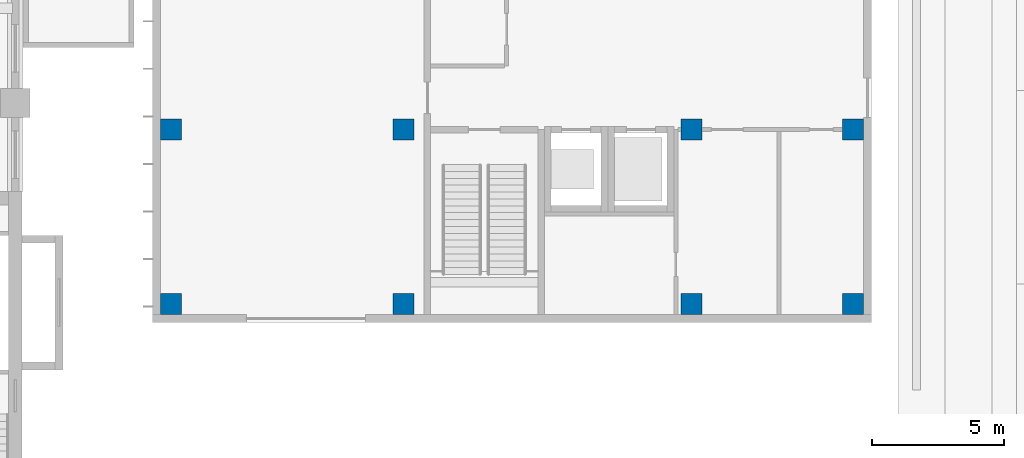
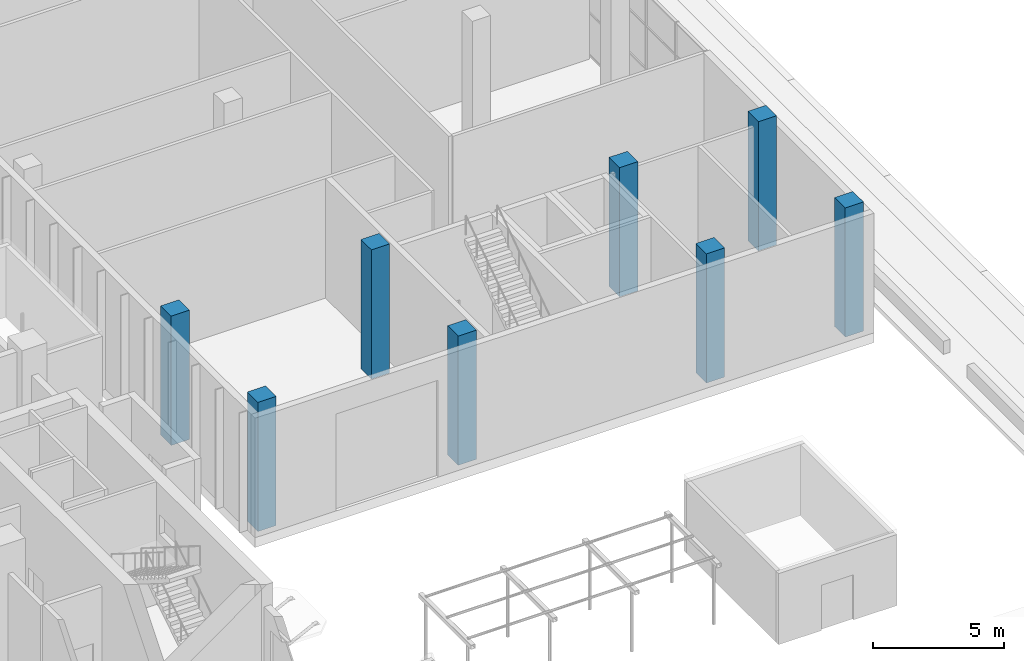
# One storey, part 7 of 71: 8 columns.
"""IFC4 building model written with IfcOpenShell, lengths in metres."""

from ifc_helpers import new_model, si_unit, direction, frame, origin, origin_2d, place, context, subcontext, project, spatial, rectangle, extrude, material, material_profile, profile_set, type_object, element, save


model = new_model("IFC4")

# Units and contexts
model_context = context("Model", 3, precision=1e-05, world=origin(), true_north=direction((0.0, 1.0)))
body_context = subcontext(model_context, "Body", "Model", "MODEL_VIEW")
ifc_project = project(units=[si_unit("LENGTHUNIT", "METRE"), si_unit("AREAUNIT", "SQUARE_METRE"), si_unit("VOLUMEUNIT", "CUBIC_METRE"), si_unit("PLANEANGLEUNIT", "RADIAN"), si_unit("MASSUNIT", "GRAM", prefix="KILO")], contexts=[model_context])

# Site, building, storey
site_placement = place(None, origin())
site = spatial("IfcSite", under=ifc_project, at=site_placement, CompositionType="ELEMENT")
building_placement = place(site_placement, origin())
building = spatial("IfcBuilding", under=site, at=building_placement, Name="Basin Gate Institute", CompositionType="ELEMENT")
storey_placement = place(building_placement, origin())
storey = spatial("IfcBuildingStorey", under=building, at=storey_placement, Name="L00", CompositionType="ELEMENT", Elevation=0.0)

# Columns
ifc_material = material(Name="Concrete 50 MPa", Category="concrete")
ifc_material_profile = material_profile(ifc_material, rectangle(XDim=0.800048828125, YDim=0.800048828125, at=origin_2d()), Name="Column C4 800 x 800")
ifc_profile_set = profile_set([ifc_material_profile], Name="Concrete 50 MPa")
column_type = type_object("IfcColumnType", Name="Column C4 R180", PredefinedType="COLUMN", material=ifc_profile_set)
for number, where, z_axis, x_axis, name in (
    (1, (124.699951171875, 70.699951171875, 0.0), (0.0, 0.0, 1.0), (1.0, 0.0, 0.0), "Clean block column R180 1/1 L00"),
    (2, (124.699951171875, 77.300048828125, 0.0), (0.0, 0.0, 1.0), (1.0, 0.0, 0.0), "Clean block column R180 1/2 L00"),
    (3, (133.5, 70.699951171875, 0.0), (0.0, 0.0, 1.0), (1.0, 0.0, 0.0), "Clean block column R180 2/1 L00"),
    (4, (133.5, 77.300048828125, 0.0), (0.0, 0.0, 1.0), (1.0, 0.0, 0.0), "Clean block column R180 2/2 L00"),
    (5, (144.39990234375, 70.699951171875, 0.0), (0.0, 0.0, 1.0), (1.0, 0.0, 0.0), "Clean block column R180 3/1 L00"),
    (6, (144.39990234375, 77.300048828125, 0.0), (0.0, 0.0, 1.0), (1.0, 0.0, 0.0), "Clean block column R180 3/2 L00"),
    (7, (150.5, 70.699951171875, 0.0), (0.0, 0.0, 1.0), (1.0, 0.0, 0.0), "Clean block column R180 4/1 L00"),
    (8, (150.5, 77.300048828125, 0.0), (0.0, 0.0, 1.0), (1.0, 0.0, 0.0), "Clean block column R180 4/2 L00"),
):
    element("IfcColumn", number, at=place(storey_placement, frame(where, z_axis=z_axis, x_axis=x_axis)), inside=storey, type_object=column_type, material=ifc_profile_set, Name=name, PredefinedType="COLUMN", context=body_context, shape_type="SweptSolid", body=[
        extrude(rectangle(XDim=0.800048828125, YDim=0.800048828125, at=origin_2d()), origin(), (0.0, 0.0, 1.0), 6.0),
    ])

save(model, "model.ifc")
